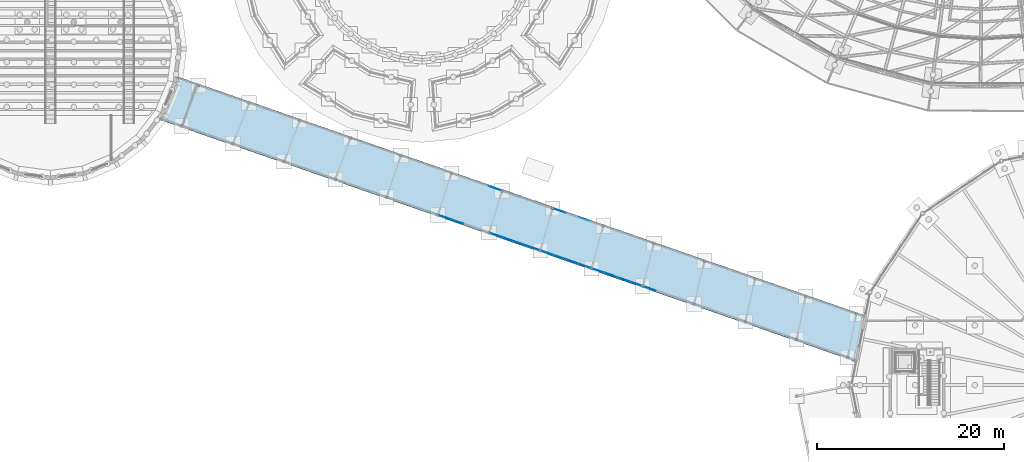
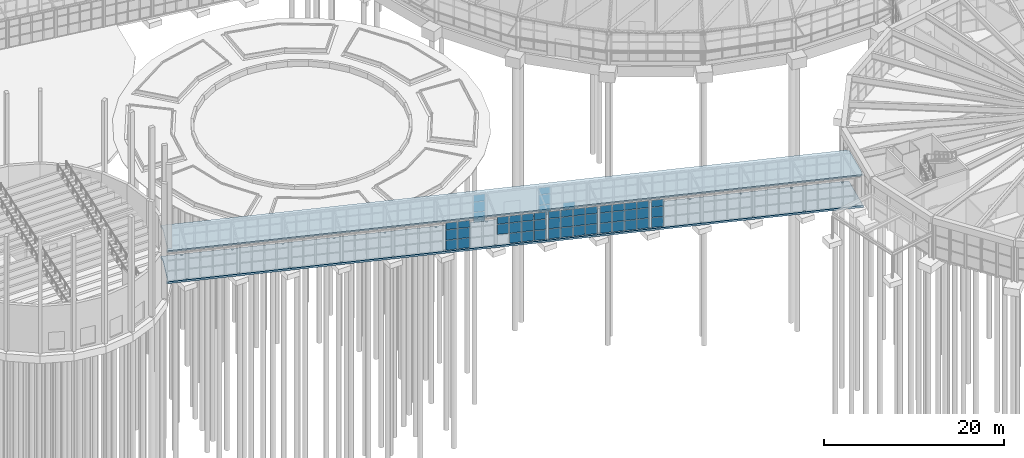
# One storey, part 124 of 226: 51 plates, 2 slabs, 7 elements without a shape of their own.
"""IFC4 building model written with IfcOpenShell, lengths in metres."""

from ifc_helpers import new_model, si_unit, direction, frame, origin, origin_2d, place, context, subcontext, project, spatial, polyline, rectangle, outline, extrude, material, layer, layer_set, type_object, element, aggregate, save


model = new_model("IFC4")

# Units and contexts
model_context = context("Model", 3, precision=1e-05, world=origin(), true_north=direction((0.0, 1.0)))
body_context = subcontext(model_context, "Body", "Model", "MODEL_VIEW")
ifc_project = project(units=[si_unit("LENGTHUNIT", "METRE"), si_unit("AREAUNIT", "SQUARE_METRE"), si_unit("VOLUMEUNIT", "CUBIC_METRE"), si_unit("PLANEANGLEUNIT", "RADIAN"), si_unit("MASSUNIT", "GRAM", prefix="KILO")], contexts=[model_context])

# Site, building, storey
site_placement = place(None, origin())
site = spatial("IfcSite", under=ifc_project, at=site_placement, CompositionType="ELEMENT")
building_placement = place(site_placement, origin())
building = spatial("IfcBuilding", under=site, at=building_placement, Name="Ceibo Conservatory and Research Tower", CompositionType="ELEMENT")
storey_placement = place(building_placement, origin())
storey = spatial("IfcBuildingStorey", under=building, at=storey_placement, Name="L00", CompositionType="ELEMENT", Elevation=0.0)

# Curtain wall, plates
ifc_material_1 = material(Name="Aluminium and glass", Category="aluminium")
curtain_wall_type = type_object("IfcCurtainWallType", Name="Gallery curtain wall", PredefinedType="NOTDEFINED", material=ifc_material_1)
curtain_wall_1_placement = place(storey_placement, origin())
curtain_wall_1 = element("IfcCurtainWall", 1, at=curtain_wall_1_placement, inside=storey, type_object=curtain_wall_type, Name="Gallery curtain wall AUD-VC-CWN07", PredefinedType="NOTDEFINED")
ifc_material_2 = material(Name="Laminated glass", Category="glass")
ifc_layer_1 = layer(ifc_material_2, 0.028076171875)
ifc_layer_set_1 = layer_set([ifc_layer_1], Name="Laminated glass")
plate_type = type_object("IfcPlateType", Name="Gallery glass 28", PredefinedType="CURTAIN_PANEL", material=ifc_layer_set_1)
plate_1_placement = place(storey_placement, frame((103.801025390625, 57.08251953125, 0.06005859375), z_axis=(0.0, 0.0, 1.0), x_axis=(0.944579236191, -0.328283515513, 0.0)))
plate_1 = element("IfcPlate", 2, at=plate_1_placement, type_object=plate_type, Name="AUD-VC-CWN07 panel 4.1", PredefinedType="CURTAIN_PANEL", context=body_context, shape_type="SweptSolid", body=[
    extrude(rectangle(XDim=1.294677734375, YDim=0.028076171875, at=origin_2d()), origin(), (0.0, 0.0, 1.0), 1.31005859375),
])
plate_2_placement = place(storey_placement, frame((103.801025390625, 57.08251953125, 1.43017578125), z_axis=(0.0, 0.0, 1.0), x_axis=(0.944579236191, -0.328283515513, 0.0)))
plate_2 = element("IfcPlate", 3, at=plate_2_placement, type_object=plate_type, Name="AUD-VC-CWN07 panel 4.2", PredefinedType="CURTAIN_PANEL", context=body_context, shape_type="SweptSolid", body=[
    extrude(rectangle(XDim=1.294677734375, YDim=0.028076171875, at=origin_2d()), origin(), (0.0, 0.0, 1.0), 1.340087890625),
])
plate_3_placement = place(storey_placement, frame((103.801025390625, 57.08251953125, 2.830078125), z_axis=(0.0, 0.0, 1.0), x_axis=(0.944579236191, -0.328283515513, 0.0)))
plate_3 = element("IfcPlate", 4, at=plate_3_placement, type_object=plate_type, Name="AUD-VC-CWN07 panel 4.3", PredefinedType="CURTAIN_PANEL", context=body_context, shape_type="SweptSolid", body=[
    extrude(rectangle(XDim=1.294677734375, YDim=0.028076171875, at=origin_2d()), origin(), (0.0, 0.0, 1.0), 0.909912109375),
])
aggregate(curtain_wall_1, [plate_1, plate_2, plate_3])

curtain_wall_2_placement = place(storey_placement, origin())
curtain_wall_2 = element("IfcCurtainWall", 5, at=curtain_wall_2_placement, inside=storey, type_object=curtain_wall_type, Name="Gallery curtain wall AUD-VC-CWN09", PredefinedType="NOTDEFINED")
plate_4_placement = place(storey_placement, frame((110.746826171875, 54.66845703125, 0.06005859375), z_axis=(0.0, 0.0, 1.0), x_axis=(0.944579236191, -0.328283515513, 0.0)))
plate_4 = element("IfcPlate", 6, at=plate_4_placement, type_object=plate_type, Name="AUD-VC-CWN09 panel 1.1", PredefinedType="CURTAIN_PANEL", context=body_context, shape_type="SweptSolid", body=[
    extrude(rectangle(XDim=1.294677734375, YDim=0.028076171875, at=origin_2d()), origin(), (0.0, 0.0, 1.0), 1.31005859375),
])
plate_5_placement = place(storey_placement, frame((110.746826171875, 54.66845703125, 1.43017578125), z_axis=(0.0, 0.0, 1.0), x_axis=(0.944579236191, -0.328283515513, 0.0)))
plate_5 = element("IfcPlate", 7, at=plate_5_placement, type_object=plate_type, Name="AUD-VC-CWN09 panel 1.2", PredefinedType="CURTAIN_PANEL", context=body_context, shape_type="SweptSolid", body=[
    extrude(rectangle(XDim=1.294677734375, YDim=0.028076171875, at=origin_2d()), origin(), (0.0, 0.0, 1.0), 1.340087890625),
])
plate_6_placement = place(storey_placement, frame((110.746826171875, 54.66845703125, 2.830078125), z_axis=(0.0, 0.0, 1.0), x_axis=(0.944579236191, -0.328283515513, 0.0)))
plate_6 = element("IfcPlate", 8, at=plate_6_placement, type_object=plate_type, Name="AUD-VC-CWN09 panel 1.3", PredefinedType="CURTAIN_PANEL", context=body_context, shape_type="SweptSolid", body=[
    extrude(rectangle(XDim=1.294677734375, YDim=0.028076171875, at=origin_2d()), origin(), (0.0, 0.0, 1.0), 0.909912109375),
])
plate_7_placement = place(storey_placement, frame((113.3486328125, 53.764404296875, 0.06005859375), z_axis=(0.0, 0.0, 1.0), x_axis=(0.944579236191, -0.328283515513, 0.0)))
plate_7 = element("IfcPlate", 9, at=plate_7_placement, type_object=plate_type, Name="AUD-VC-CWN09 panel 3.1", PredefinedType="CURTAIN_PANEL", context=body_context, shape_type="SweptSolid", body=[
    extrude(rectangle(XDim=1.32470703125, YDim=0.028076171875, at=origin_2d()), origin(), (0.0, 0.0, 1.0), 1.31005859375),
])
aggregate(curtain_wall_2, [plate_4, plate_5, plate_6, plate_7])

curtain_wall_3_placement = place(storey_placement, origin())
curtain_wall_3 = element("IfcCurtainWall", 10, at=curtain_wall_3_placement, inside=storey, type_object=curtain_wall_type, Name="Gallery curtain wall AUD-VC-CWS07", PredefinedType="NOTDEFINED")
plate_8_placement = place(storey_placement, frame((98.44677734375, 53.967529296875, 0.06005859375), z_axis=(0.0, 0.0, 1.0), x_axis=(0.944579236191, -0.328283515513, 0.0)))
plate_8 = element("IfcPlate", 11, at=plate_8_placement, type_object=plate_type, Name="AUD-VC-CWS07 panel 1.1", PredefinedType="CURTAIN_PANEL", context=body_context, shape_type="SweptSolid", body=[
    extrude(rectangle(XDim=1.3125, YDim=0.028076171875, at=origin_2d()), origin(), (0.0, 0.0, 1.0), 1.31005859375),
])
plate_9_placement = place(storey_placement, frame((98.44677734375, 53.967529296875, 1.43017578125), z_axis=(0.0, 0.0, 1.0), x_axis=(0.944579236191, -0.328283515513, 0.0)))
plate_9 = element("IfcPlate", 12, at=plate_9_placement, type_object=plate_type, Name="AUD-VC-CWS07 panel 1.2", PredefinedType="CURTAIN_PANEL", context=body_context, shape_type="SweptSolid", body=[
    extrude(rectangle(XDim=1.3125, YDim=0.028076171875, at=origin_2d()), origin(), (0.0, 0.0, 1.0), 1.340087890625),
])
plate_10_placement = place(storey_placement, frame((98.44677734375, 53.967529296875, 2.830078125), z_axis=(0.0, 0.0, 1.0), x_axis=(0.944579236191, -0.328283515513, 0.0)))
plate_10 = element("IfcPlate", 13, at=plate_10_placement, type_object=plate_type, Name="AUD-VC-CWS07 panel 1.3", PredefinedType="CURTAIN_PANEL", context=body_context, shape_type="SweptSolid", body=[
    extrude(rectangle(XDim=1.3125, YDim=0.028076171875, at=origin_2d()), origin(), (0.0, 0.0, 1.0), 0.909912109375),
])
plate_11_placement = place(storey_placement, frame((99.757568359375, 53.51220703125, 0.06005859375), z_axis=(0.0, 0.0, 1.0), x_axis=(0.944579236191, -0.328283515513, 0.0)))
plate_11 = element("IfcPlate", 14, at=plate_11_placement, type_object=plate_type, Name="AUD-VC-CWS07 panel 2.1", PredefinedType="CURTAIN_PANEL", context=body_context, shape_type="SweptSolid", body=[
    extrude(rectangle(XDim=1.342529296875, YDim=0.028076171875, at=origin_2d()), origin(), (0.0, 0.0, 1.0), 1.31005859375),
])
plate_12_placement = place(storey_placement, frame((99.757568359375, 53.51220703125, 1.43017578125), z_axis=(0.0, 0.0, 1.0), x_axis=(0.944579236191, -0.328283515513, 0.0)))
plate_12 = element("IfcPlate", 15, at=plate_12_placement, type_object=plate_type, Name="AUD-VC-CWS07 panel 2.2", PredefinedType="CURTAIN_PANEL", context=body_context, shape_type="SweptSolid", body=[
    extrude(rectangle(XDim=1.342529296875, YDim=0.028076171875, at=origin_2d()), origin(), (0.0, 0.0, 1.0), 1.340087890625),
])
plate_13_placement = place(storey_placement, frame((99.757568359375, 53.51220703125, 2.830078125), z_axis=(0.0, 0.0, 1.0), x_axis=(0.944579236191, -0.328283515513, 0.0)))
plate_13 = element("IfcPlate", 16, at=plate_13_placement, type_object=plate_type, Name="AUD-VC-CWS07 panel 2.3", PredefinedType="CURTAIN_PANEL", context=body_context, shape_type="SweptSolid", body=[
    extrude(rectangle(XDim=1.342529296875, YDim=0.028076171875, at=origin_2d()), origin(), (0.0, 0.0, 1.0), 0.909912109375),
])
aggregate(curtain_wall_3, [plate_8, plate_9, plate_10, plate_11, plate_12, plate_13])

curtain_wall_4_placement = place(storey_placement, origin())
curtain_wall_4 = element("IfcCurtainWall", 17, at=curtain_wall_4_placement, inside=storey, type_object=curtain_wall_type, Name="Gallery curtain wall AUD-VC-CWS08", PredefinedType="NOTDEFINED")
plate_14_placement = place(storey_placement, frame((103.93505859375, 52.06005859375, 1.43017578125), z_axis=(0.0, 0.0, 1.0), x_axis=(0.944579236191, -0.328283515513, 0.0)))
plate_14 = element("IfcPlate", 18, at=plate_14_placement, type_object=plate_type, Name="AUD-VC-CWS08 panel 1.2", PredefinedType="CURTAIN_PANEL", context=body_context, shape_type="SweptSolid", body=[
    extrude(rectangle(XDim=1.3125, YDim=0.028076171875, at=origin_2d()), origin(), (0.0, 0.0, 1.0), 1.340087890625),
])
plate_15_placement = place(storey_placement, frame((103.93505859375, 52.06005859375, 2.830078125), z_axis=(0.0, 0.0, 1.0), x_axis=(0.944579236191, -0.328283515513, 0.0)))
plate_15 = element("IfcPlate", 19, at=plate_15_placement, type_object=plate_type, Name="AUD-VC-CWS08 panel 1.3", PredefinedType="CURTAIN_PANEL", context=body_context, shape_type="SweptSolid", body=[
    extrude(rectangle(XDim=1.3125, YDim=0.028076171875, at=origin_2d()), origin(), (0.0, 0.0, 1.0), 0.909912109375),
])
plate_16_placement = place(storey_placement, frame((105.245849609375, 51.604736328125, 0.06005859375), z_axis=(0.0, 0.0, 1.0), x_axis=(0.944579236191, -0.328283515513, 0.0)))
plate_16 = element("IfcPlate", 20, at=plate_16_placement, type_object=plate_type, Name="AUD-VC-CWS08 panel 2.1", PredefinedType="CURTAIN_PANEL", context=body_context, shape_type="SweptSolid", body=[
    extrude(rectangle(XDim=1.342529296875, YDim=0.028076171875, at=origin_2d()), origin(), (0.0, 0.0, 1.0), 1.31005859375),
])
plate_17_placement = place(storey_placement, frame((105.245849609375, 51.604736328125, 1.43017578125), z_axis=(0.0, 0.0, 1.0), x_axis=(0.944579236191, -0.328283515513, 0.0)))
plate_17 = element("IfcPlate", 21, at=plate_17_placement, type_object=plate_type, Name="AUD-VC-CWS08 panel 2.2", PredefinedType="CURTAIN_PANEL", context=body_context, shape_type="SweptSolid", body=[
    extrude(rectangle(XDim=1.342529296875, YDim=0.028076171875, at=origin_2d()), origin(), (0.0, 0.0, 1.0), 1.340087890625),
])
plate_18_placement = place(storey_placement, frame((105.245849609375, 51.604736328125, 2.830078125), z_axis=(0.0, 0.0, 1.0), x_axis=(0.944579236191, -0.328283515513, 0.0)))
plate_18 = element("IfcPlate", 22, at=plate_18_placement, type_object=plate_type, Name="AUD-VC-CWS08 panel 2.3", PredefinedType="CURTAIN_PANEL", context=body_context, shape_type="SweptSolid", body=[
    extrude(rectangle(XDim=1.342529296875, YDim=0.028076171875, at=origin_2d()), origin(), (0.0, 0.0, 1.0), 0.909912109375),
])
plate_19_placement = place(storey_placement, frame((106.570556640625, 51.144287109375, 0.06005859375), z_axis=(0.0, 0.0, 1.0), x_axis=(0.944579236191, -0.328283515513, 0.0)))
plate_19 = element("IfcPlate", 23, at=plate_19_placement, type_object=plate_type, Name="AUD-VC-CWS08 panel 3.1", PredefinedType="CURTAIN_PANEL", context=body_context, shape_type="SweptSolid", body=[
    extrude(rectangle(XDim=1.342529296875, YDim=0.028076171875, at=origin_2d()), origin(), (0.0, 0.0, 1.0), 1.31005859375),
])
plate_20_placement = place(storey_placement, frame((106.570556640625, 51.144287109375, 1.43017578125), z_axis=(0.0, 0.0, 1.0), x_axis=(0.944579236191, -0.328283515513, 0.0)))
plate_20 = element("IfcPlate", 24, at=plate_20_placement, type_object=plate_type, Name="AUD-VC-CWS08 panel 3.2", PredefinedType="CURTAIN_PANEL", context=body_context, shape_type="SweptSolid", body=[
    extrude(rectangle(XDim=1.342529296875, YDim=0.028076171875, at=origin_2d()), origin(), (0.0, 0.0, 1.0), 1.340087890625),
])
plate_21_placement = place(storey_placement, frame((106.570556640625, 51.144287109375, 2.830078125), z_axis=(0.0, 0.0, 1.0), x_axis=(0.944579236191, -0.328283515513, 0.0)))
plate_21 = element("IfcPlate", 25, at=plate_21_placement, type_object=plate_type, Name="AUD-VC-CWS08 panel 3.3", PredefinedType="CURTAIN_PANEL", context=body_context, shape_type="SweptSolid", body=[
    extrude(rectangle(XDim=1.342529296875, YDim=0.028076171875, at=origin_2d()), origin(), (0.0, 0.0, 1.0), 0.909912109375),
])
plate_22_placement = place(storey_placement, frame((107.88134765625, 50.688720703125, 0.06005859375), z_axis=(0.0, 0.0, 1.0), x_axis=(0.944579236191, -0.328283515513, 0.0)))
plate_22 = element("IfcPlate", 26, at=plate_22_placement, type_object=plate_type, Name="AUD-VC-CWS08 panel 4.1", PredefinedType="CURTAIN_PANEL", context=body_context, shape_type="SweptSolid", body=[
    extrude(rectangle(XDim=1.3125, YDim=0.028076171875, at=origin_2d()), origin(), (0.0, 0.0, 1.0), 1.31005859375),
])
plate_23_placement = place(storey_placement, frame((107.88134765625, 50.688720703125, 1.43017578125), z_axis=(0.0, 0.0, 1.0), x_axis=(0.944579236191, -0.328283515513, 0.0)))
plate_23 = element("IfcPlate", 27, at=plate_23_placement, type_object=plate_type, Name="AUD-VC-CWS08 panel 4.2", PredefinedType="CURTAIN_PANEL", context=body_context, shape_type="SweptSolid", body=[
    extrude(rectangle(XDim=1.3125, YDim=0.028076171875, at=origin_2d()), origin(), (0.0, 0.0, 1.0), 1.340087890625),
])
plate_24_placement = place(storey_placement, frame((107.88134765625, 50.688720703125, 2.830078125), z_axis=(0.0, 0.0, 1.0), x_axis=(0.944579236191, -0.328283515513, 0.0)))
plate_24 = element("IfcPlate", 28, at=plate_24_placement, type_object=plate_type, Name="AUD-VC-CWS08 panel 4.3", PredefinedType="CURTAIN_PANEL", context=body_context, shape_type="SweptSolid", body=[
    extrude(rectangle(XDim=1.3125, YDim=0.028076171875, at=origin_2d()), origin(), (0.0, 0.0, 1.0), 0.909912109375),
])
aggregate(curtain_wall_4, [plate_14, plate_15, plate_16, plate_17, plate_18, plate_19, plate_20, plate_21, plate_22, plate_23, plate_24])

curtain_wall_5_placement = place(storey_placement, origin())
curtain_wall_5 = element("IfcCurtainWall", 29, at=curtain_wall_5_placement, inside=storey, type_object=curtain_wall_type, Name="Gallery curtain wall AUD-VC-CWS09", PredefinedType="NOTDEFINED")
plate_25_placement = place(storey_placement, frame((109.42333984375, 50.15283203125, 0.06005859375), z_axis=(0.0, 0.0, 1.0), x_axis=(0.944579236191, -0.328283515513, 0.0)))
plate_25 = element("IfcPlate", 30, at=plate_25_placement, type_object=plate_type, Name="AUD-VC-CWS09 panel 1.1", PredefinedType="CURTAIN_PANEL", context=body_context, shape_type="SweptSolid", body=[
    extrude(rectangle(XDim=1.3125, YDim=0.028076171875, at=origin_2d()), origin(), (0.0, 0.0, 1.0), 1.31005859375),
])
plate_26_placement = place(storey_placement, frame((109.42333984375, 50.15283203125, 1.43017578125), z_axis=(0.0, 0.0, 1.0), x_axis=(0.944579236191, -0.328283515513, 0.0)))
plate_26 = element("IfcPlate", 31, at=plate_26_placement, type_object=plate_type, Name="AUD-VC-CWS09 panel 1.2", PredefinedType="CURTAIN_PANEL", context=body_context, shape_type="SweptSolid", body=[
    extrude(rectangle(XDim=1.3125, YDim=0.028076171875, at=origin_2d()), origin(), (0.0, 0.0, 1.0), 1.340087890625),
])
plate_27_placement = place(storey_placement, frame((109.42333984375, 50.15283203125, 2.830078125), z_axis=(0.0, 0.0, 1.0), x_axis=(0.944579236191, -0.328283515513, 0.0)))
plate_27 = element("IfcPlate", 32, at=plate_27_placement, type_object=plate_type, Name="AUD-VC-CWS09 panel 1.3", PredefinedType="CURTAIN_PANEL", context=body_context, shape_type="SweptSolid", body=[
    extrude(rectangle(XDim=1.3125, YDim=0.028076171875, at=origin_2d()), origin(), (0.0, 0.0, 1.0), 0.909912109375),
])
plate_28_placement = place(storey_placement, frame((110.734130859375, 49.697265625, 0.06005859375), z_axis=(0.0, 0.0, 1.0), x_axis=(0.944579236191, -0.328283515513, 0.0)))
plate_28 = element("IfcPlate", 33, at=plate_28_placement, type_object=plate_type, Name="AUD-VC-CWS09 panel 2.1", PredefinedType="CURTAIN_PANEL", context=body_context, shape_type="SweptSolid", body=[
    extrude(rectangle(XDim=1.342529296875, YDim=0.028076171875, at=origin_2d()), origin(), (0.0, 0.0, 1.0), 1.31005859375),
])
plate_29_placement = place(storey_placement, frame((110.734130859375, 49.697265625, 1.43017578125), z_axis=(0.0, 0.0, 1.0), x_axis=(0.944579236191, -0.328283515513, 0.0)))
plate_29 = element("IfcPlate", 34, at=plate_29_placement, type_object=plate_type, Name="AUD-VC-CWS09 panel 2.2", PredefinedType="CURTAIN_PANEL", context=body_context, shape_type="SweptSolid", body=[
    extrude(rectangle(XDim=1.342529296875, YDim=0.028076171875, at=origin_2d()), origin(), (0.0, 0.0, 1.0), 1.340087890625),
])
plate_30_placement = place(storey_placement, frame((110.734130859375, 49.697265625, 2.830078125), z_axis=(0.0, 0.0, 1.0), x_axis=(0.944579236191, -0.328283515513, 0.0)))
plate_30 = element("IfcPlate", 35, at=plate_30_placement, type_object=plate_type, Name="AUD-VC-CWS09 panel 2.3", PredefinedType="CURTAIN_PANEL", context=body_context, shape_type="SweptSolid", body=[
    extrude(rectangle(XDim=1.342529296875, YDim=0.028076171875, at=origin_2d()), origin(), (0.0, 0.0, 1.0), 0.909912109375),
])
plate_31_placement = place(storey_placement, frame((112.058837890625, 49.23681640625, 0.06005859375), z_axis=(0.0, 0.0, 1.0), x_axis=(0.944579236191, -0.328283515513, 0.0)))
plate_31 = element("IfcPlate", 36, at=plate_31_placement, type_object=plate_type, Name="AUD-VC-CWS09 panel 3.1", PredefinedType="CURTAIN_PANEL", context=body_context, shape_type="SweptSolid", body=[
    extrude(rectangle(XDim=1.342529296875, YDim=0.028076171875, at=origin_2d()), origin(), (0.0, 0.0, 1.0), 1.31005859375),
])
plate_32_placement = place(storey_placement, frame((112.058837890625, 49.23681640625, 1.43017578125), z_axis=(0.0, 0.0, 1.0), x_axis=(0.944579236191, -0.328283515513, 0.0)))
plate_32 = element("IfcPlate", 37, at=plate_32_placement, type_object=plate_type, Name="AUD-VC-CWS09 panel 3.2", PredefinedType="CURTAIN_PANEL", context=body_context, shape_type="SweptSolid", body=[
    extrude(rectangle(XDim=1.342529296875, YDim=0.028076171875, at=origin_2d()), origin(), (0.0, 0.0, 1.0), 1.340087890625),
])
plate_33_placement = place(storey_placement, frame((112.058837890625, 49.23681640625, 2.830078125), z_axis=(0.0, 0.0, 1.0), x_axis=(0.944579236191, -0.328283515513, 0.0)))
plate_33 = element("IfcPlate", 38, at=plate_33_placement, type_object=plate_type, Name="AUD-VC-CWS09 panel 3.3", PredefinedType="CURTAIN_PANEL", context=body_context, shape_type="SweptSolid", body=[
    extrude(rectangle(XDim=1.342529296875, YDim=0.028076171875, at=origin_2d()), origin(), (0.0, 0.0, 1.0), 0.909912109375),
])
plate_34_placement = place(storey_placement, frame((113.36962890625, 48.78125, 0.06005859375), z_axis=(0.0, 0.0, 1.0), x_axis=(0.944579236191, -0.328283515513, 0.0)))
plate_34 = element("IfcPlate", 39, at=plate_34_placement, type_object=plate_type, Name="AUD-VC-CWS09 panel 4.1", PredefinedType="CURTAIN_PANEL", context=body_context, shape_type="SweptSolid", body=[
    extrude(rectangle(XDim=1.3125, YDim=0.028076171875, at=origin_2d()), origin(), (0.0, 0.0, 1.0), 1.31005859375),
])
plate_35_placement = place(storey_placement, frame((113.36962890625, 48.78125, 1.43017578125), z_axis=(0.0, 0.0, 1.0), x_axis=(0.944579236191, -0.328283515513, 0.0)))
plate_35 = element("IfcPlate", 40, at=plate_35_placement, type_object=plate_type, Name="AUD-VC-CWS09 panel 4.2", PredefinedType="CURTAIN_PANEL", context=body_context, shape_type="SweptSolid", body=[
    extrude(rectangle(XDim=1.3125, YDim=0.028076171875, at=origin_2d()), origin(), (0.0, 0.0, 1.0), 1.340087890625),
])
plate_36_placement = place(storey_placement, frame((113.36962890625, 48.78125, 2.830078125), z_axis=(0.0, 0.0, 1.0), x_axis=(0.944579236191, -0.328283515513, 0.0)))
plate_36 = element("IfcPlate", 41, at=plate_36_placement, type_object=plate_type, Name="AUD-VC-CWS09 panel 4.3", PredefinedType="CURTAIN_PANEL", context=body_context, shape_type="SweptSolid", body=[
    extrude(rectangle(XDim=1.3125, YDim=0.028076171875, at=origin_2d()), origin(), (0.0, 0.0, 1.0), 0.909912109375),
])
aggregate(curtain_wall_5, [plate_25, plate_26, plate_27, plate_28, plate_29, plate_30, plate_31, plate_32, plate_33, plate_34, plate_35, plate_36])

curtain_wall_6_placement = place(storey_placement, origin())
curtain_wall_6 = element("IfcCurtainWall", 42, at=curtain_wall_6_placement, inside=storey, type_object=curtain_wall_type, Name="Gallery curtain wall AUD-VC-CWS10", PredefinedType="NOTDEFINED")
plate_37_placement = place(storey_placement, frame((114.91162109375, 48.245361328125, 0.06005859375), z_axis=(0.0, 0.0, 1.0), x_axis=(0.944579236191, -0.328283515513, 0.0)))
plate_37 = element("IfcPlate", 43, at=plate_37_placement, type_object=plate_type, Name="AUD-VC-CWS10 panel 1.1", PredefinedType="CURTAIN_PANEL", context=body_context, shape_type="SweptSolid", body=[
    extrude(rectangle(XDim=1.3125, YDim=0.028076171875, at=origin_2d()), origin(), (0.0, 0.0, 1.0), 1.31005859375),
])
plate_38_placement = place(storey_placement, frame((114.91162109375, 48.245361328125, 1.43017578125), z_axis=(0.0, 0.0, 1.0), x_axis=(0.944579236191, -0.328283515513, 0.0)))
plate_38 = element("IfcPlate", 44, at=plate_38_placement, type_object=plate_type, Name="AUD-VC-CWS10 panel 1.2", PredefinedType="CURTAIN_PANEL", context=body_context, shape_type="SweptSolid", body=[
    extrude(rectangle(XDim=1.3125, YDim=0.028076171875, at=origin_2d()), origin(), (0.0, 0.0, 1.0), 1.340087890625),
])
plate_39_placement = place(storey_placement, frame((114.91162109375, 48.245361328125, 2.830078125), z_axis=(0.0, 0.0, 1.0), x_axis=(0.944579236191, -0.328283515513, 0.0)))
plate_39 = element("IfcPlate", 45, at=plate_39_placement, type_object=plate_type, Name="AUD-VC-CWS10 panel 1.3", PredefinedType="CURTAIN_PANEL", context=body_context, shape_type="SweptSolid", body=[
    extrude(rectangle(XDim=1.3125, YDim=0.028076171875, at=origin_2d()), origin(), (0.0, 0.0, 1.0), 0.909912109375),
])
plate_40_placement = place(storey_placement, frame((116.222412109375, 47.789794921875, 0.06005859375), z_axis=(0.0, 0.0, 1.0), x_axis=(0.944579236191, -0.328283515513, 0.0)))
plate_40 = element("IfcPlate", 46, at=plate_40_placement, type_object=plate_type, Name="AUD-VC-CWS10 panel 2.1", PredefinedType="CURTAIN_PANEL", context=body_context, shape_type="SweptSolid", body=[
    extrude(rectangle(XDim=1.342529296875, YDim=0.028076171875, at=origin_2d()), origin(), (0.0, 0.0, 1.0), 1.31005859375),
])
plate_41_placement = place(storey_placement, frame((116.222412109375, 47.789794921875, 1.43017578125), z_axis=(0.0, 0.0, 1.0), x_axis=(0.944579236191, -0.328283515513, 0.0)))
plate_41 = element("IfcPlate", 47, at=plate_41_placement, type_object=plate_type, Name="AUD-VC-CWS10 panel 2.2", PredefinedType="CURTAIN_PANEL", context=body_context, shape_type="SweptSolid", body=[
    extrude(rectangle(XDim=1.342529296875, YDim=0.028076171875, at=origin_2d()), origin(), (0.0, 0.0, 1.0), 1.340087890625),
])
plate_42_placement = place(storey_placement, frame((116.222412109375, 47.789794921875, 2.830078125), z_axis=(0.0, 0.0, 1.0), x_axis=(0.944579236191, -0.328283515513, 0.0)))
plate_42 = element("IfcPlate", 48, at=plate_42_placement, type_object=plate_type, Name="AUD-VC-CWS10 panel 2.3", PredefinedType="CURTAIN_PANEL", context=body_context, shape_type="SweptSolid", body=[
    extrude(rectangle(XDim=1.342529296875, YDim=0.028076171875, at=origin_2d()), origin(), (0.0, 0.0, 1.0), 0.909912109375),
])
plate_43_placement = place(storey_placement, frame((117.547119140625, 47.329345703125, 0.06005859375), z_axis=(0.0, 0.0, 1.0), x_axis=(0.944579236191, -0.328283515513, 0.0)))
plate_43 = element("IfcPlate", 49, at=plate_43_placement, type_object=plate_type, Name="AUD-VC-CWS10 panel 3.1", PredefinedType="CURTAIN_PANEL", context=body_context, shape_type="SweptSolid", body=[
    extrude(rectangle(XDim=1.342529296875, YDim=0.028076171875, at=origin_2d()), origin(), (0.0, 0.0, 1.0), 1.31005859375),
])
plate_44_placement = place(storey_placement, frame((117.547119140625, 47.329345703125, 1.43017578125), z_axis=(0.0, 0.0, 1.0), x_axis=(0.944579236191, -0.328283515513, 0.0)))
plate_44 = element("IfcPlate", 50, at=plate_44_placement, type_object=plate_type, Name="AUD-VC-CWS10 panel 3.2", PredefinedType="CURTAIN_PANEL", context=body_context, shape_type="SweptSolid", body=[
    extrude(rectangle(XDim=1.342529296875, YDim=0.028076171875, at=origin_2d()), origin(), (0.0, 0.0, 1.0), 1.340087890625),
])
plate_45_placement = place(storey_placement, frame((117.547119140625, 47.329345703125, 2.830078125), z_axis=(0.0, 0.0, 1.0), x_axis=(0.944579236191, -0.328283515513, 0.0)))
plate_45 = element("IfcPlate", 51, at=plate_45_placement, type_object=plate_type, Name="AUD-VC-CWS10 panel 3.3", PredefinedType="CURTAIN_PANEL", context=body_context, shape_type="SweptSolid", body=[
    extrude(rectangle(XDim=1.342529296875, YDim=0.028076171875, at=origin_2d()), origin(), (0.0, 0.0, 1.0), 0.909912109375),
])
plate_46_placement = place(storey_placement, frame((118.85791015625, 46.873779296875, 0.06005859375), z_axis=(0.0, 0.0, 1.0), x_axis=(0.944579236191, -0.328283515513, 0.0)))
plate_46 = element("IfcPlate", 52, at=plate_46_placement, type_object=plate_type, Name="AUD-VC-CWS10 panel 4.1", PredefinedType="CURTAIN_PANEL", context=body_context, shape_type="SweptSolid", body=[
    extrude(rectangle(XDim=1.3125, YDim=0.028076171875, at=origin_2d()), origin(), (0.0, 0.0, 1.0), 1.31005859375),
])
plate_47_placement = place(storey_placement, frame((118.85791015625, 46.873779296875, 1.43017578125), z_axis=(0.0, 0.0, 1.0), x_axis=(0.944579236191, -0.328283515513, 0.0)))
plate_47 = element("IfcPlate", 53, at=plate_47_placement, type_object=plate_type, Name="AUD-VC-CWS10 panel 4.2", PredefinedType="CURTAIN_PANEL", context=body_context, shape_type="SweptSolid", body=[
    extrude(rectangle(XDim=1.3125, YDim=0.028076171875, at=origin_2d()), origin(), (0.0, 0.0, 1.0), 1.340087890625),
])
plate_48_placement = place(storey_placement, frame((118.85791015625, 46.873779296875, 2.830078125), z_axis=(0.0, 0.0, 1.0), x_axis=(0.944579236191, -0.328283515513, 0.0)))
plate_48 = element("IfcPlate", 54, at=plate_48_placement, type_object=plate_type, Name="AUD-VC-CWS10 panel 4.3", PredefinedType="CURTAIN_PANEL", context=body_context, shape_type="SweptSolid", body=[
    extrude(rectangle(XDim=1.3125, YDim=0.028076171875, at=origin_2d()), origin(), (0.0, 0.0, 1.0), 0.909912109375),
])
aggregate(curtain_wall_6, [plate_37, plate_38, plate_39, plate_40, plate_41, plate_42, plate_43, plate_44, plate_45, plate_46, plate_47, plate_48])

curtain_wall_7_placement = place(storey_placement, origin())
curtain_wall_7 = element("IfcCurtainWall", 55, at=curtain_wall_7_placement, inside=storey, type_object=curtain_wall_type, Name="Gallery curtain wall AUD-VC-CWS11", PredefinedType="NOTDEFINED")
plate_49_placement = place(storey_placement, frame((120.39990234375, 46.337890625, 0.06005859375), z_axis=(0.0, 0.0, 1.0), x_axis=(0.944579236191, -0.328283515513, 0.0)))
plate_49 = element("IfcPlate", 56, at=plate_49_placement, type_object=plate_type, Name="AUD-VC-CWS11 panel 1.1", PredefinedType="CURTAIN_PANEL", context=body_context, shape_type="SweptSolid", body=[
    extrude(rectangle(XDim=1.3125, YDim=0.028076171875, at=origin_2d()), origin(), (0.0, 0.0, 1.0), 1.31005859375),
])
plate_50_placement = place(storey_placement, frame((120.39990234375, 46.337890625, 1.43017578125), z_axis=(0.0, 0.0, 1.0), x_axis=(0.944579236191, -0.328283515513, 0.0)))
plate_50 = element("IfcPlate", 57, at=plate_50_placement, type_object=plate_type, Name="AUD-VC-CWS11 panel 1.2", PredefinedType="CURTAIN_PANEL", context=body_context, shape_type="SweptSolid", body=[
    extrude(rectangle(XDim=1.3125, YDim=0.028076171875, at=origin_2d()), origin(), (0.0, 0.0, 1.0), 1.340087890625),
])
plate_51_placement = place(storey_placement, frame((120.39990234375, 46.337890625, 2.830078125), z_axis=(0.0, 0.0, 1.0), x_axis=(0.944579236191, -0.328283515513, 0.0)))
plate_51 = element("IfcPlate", 58, at=plate_51_placement, type_object=plate_type, Name="AUD-VC-CWS11 panel 1.3", PredefinedType="CURTAIN_PANEL", context=body_context, shape_type="SweptSolid", body=[
    extrude(rectangle(XDim=1.3125, YDim=0.028076171875, at=origin_2d()), origin(), (0.0, 0.0, 1.0), 0.909912109375),
])
aggregate(curtain_wall_7, [plate_49, plate_50, plate_51])

# Slabs
ifc_material_3 = material(Name="Concrete C35/45", Category="concrete")
ifc_layer_2 = layer(ifc_material_3, 0.25)
ifc_layer_set_2 = layer_set([ifc_layer_2], Name="Concrete C35/45")
slab_type_1 = type_object("IfcSlabType", Name="RC gallery floor slab 250", PredefinedType="BASESLAB", material=ifc_layer_set_2)
slab_1_placement = place(storey_placement, frame((0.0, 0.0, -0.25)))
element("IfcSlab", 59, at=slab_1_placement, inside=storey, type_object=slab_type_1, Name="Gallery floor slab AUD-VC", PredefinedType="BASESLAB", context=body_context, shape_type="SweptSolid", body=[
    extrude(outline(polyline([(67.970703125, 64.400634765625), (68.391845703125, 64.94970703125), (69.800537109375, 68.350341796875), (69.8896484375, 69.027099609375), (143.267333984375, 43.52490234375), (142.28271484375, 38.573974609375), (67.970703125, 64.400634765625)]), holes=[polyline([(103.231689453125, 52.18798828125), (103.30419921875, 52.39599609375), (103.09619140625, 52.46826171875), (103.02392578125, 52.260498046875), (103.231689453125, 52.18798828125)]), polyline([(97.53564453125, 54.167724609375), (97.743408203125, 54.095703125), (97.81591796875, 54.303466796875), (97.60791015625, 54.37548828125), (97.53564453125, 54.167724609375)]), polyline([(92.04736328125, 56.0751953125), (92.255126953125, 56.0029296875), (92.327392578125, 56.210693359375), (92.11962890625, 56.282958984375), (92.04736328125, 56.0751953125)]), polyline([(104.423583984375, 56.749755859375), (104.631591796875, 56.677490234375), (104.70361328125, 56.88525390625), (104.495849609375, 56.95751953125), (104.423583984375, 56.749755859375)]), polyline([(86.55908203125, 57.982666015625), (86.766845703125, 57.910400390625), (86.839111328125, 58.1181640625), (86.63134765625, 58.1904296875), (86.55908203125, 57.982666015625)]), polyline([(99.003173828125, 58.633544921875), (99.2109375, 58.561279296875), (99.283203125, 58.769287109375), (99.0751953125, 58.84130859375), (99.003173828125, 58.633544921875)]), polyline([(81.07080078125, 59.89013671875), (81.27880859375, 59.81787109375), (81.350830078125, 60.025634765625), (81.14306640625, 60.097900390625), (81.07080078125, 59.89013671875)]), polyline([(93.790283203125, 60.4453125), (93.862548828125, 60.653076171875), (93.65478515625, 60.725341796875), (93.58251953125, 60.517578125), (93.790283203125, 60.4453125)]), polyline([(75.58251953125, 61.797607421875), (75.790283203125, 61.725341796875), (75.862548828125, 61.93310546875), (75.65478515625, 62.00537109375), (75.58251953125, 61.797607421875)]), polyline([(88.161865234375, 62.4013671875), (88.36962890625, 62.3291015625), (88.44189453125, 62.537109375), (88.234130859375, 62.609130859375), (88.161865234375, 62.4013671875)]), polyline([(70.09423828125, 63.704833984375), (70.302001953125, 63.6328125), (70.374267578125, 63.840576171875), (70.16650390625, 63.91259765625), (70.09423828125, 63.704833984375)]), polyline([(82.7412109375, 64.285400390625), (82.94921875, 64.213134765625), (83.021240234375, 64.4208984375), (82.8134765625, 64.4931640625), (82.7412109375, 64.285400390625)]), polyline([(77.32080078125, 66.169189453125), (77.528564453125, 66.096923828125), (77.6005859375, 66.3046875), (77.392822265625, 66.376953125), (77.32080078125, 66.169189453125)]), polyline([(71.900146484375, 68.052978515625), (72.10791015625, 67.98095703125), (72.18017578125, 68.188720703125), (71.972412109375, 68.260986328125), (71.900146484375, 68.052978515625)]), polyline([(141.64990234375, 38.836181640625), (141.72216796875, 39.0439453125), (141.514404296875, 39.1162109375), (141.442138671875, 38.908447265625), (141.64990234375, 38.836181640625)]), polyline([(135.953857421875, 40.81591796875), (136.16162109375, 40.74365234375), (136.23388671875, 40.951416015625), (136.02587890625, 41.023681640625), (135.953857421875, 40.81591796875)]), polyline([(130.465576171875, 42.72314453125), (130.67333984375, 42.65087890625), (130.74560546875, 42.85888671875), (130.53759765625, 42.930908203125), (130.465576171875, 42.72314453125)]), polyline([(142.367919921875, 43.5625), (142.57568359375, 43.490234375), (142.64794921875, 43.697998046875), (142.440185546875, 43.770263671875), (142.367919921875, 43.5625)]), polyline([(124.977294921875, 44.630615234375), (125.18505859375, 44.558349609375), (125.257080078125, 44.76611328125), (125.04931640625, 44.83837890625), (124.977294921875, 44.630615234375)]), polyline([(136.947265625, 45.4462890625), (137.155029296875, 45.3740234375), (137.227294921875, 45.581787109375), (137.01953125, 45.654052734375), (136.947265625, 45.4462890625)]), polyline([(119.489013671875, 46.5380859375), (119.69677734375, 46.4658203125), (119.768798828125, 46.673583984375), (119.56103515625, 46.745849609375), (119.489013671875, 46.5380859375)]), polyline([(131.734619140625, 47.258056640625), (131.806640625, 47.4658203125), (131.598876953125, 47.5380859375), (131.526611328125, 47.330078125), (131.734619140625, 47.258056640625)]), polyline([(114.00048828125, 48.445556640625), (114.20849609375, 48.373291015625), (114.28076171875, 48.5810546875), (114.07275390625, 48.6533203125), (114.00048828125, 48.445556640625)]), polyline([(126.106201171875, 49.214111328125), (126.31396484375, 49.141845703125), (126.385986328125, 49.349609375), (126.17822265625, 49.421875), (126.106201171875, 49.214111328125)]), polyline([(108.51220703125, 50.352783203125), (108.72021484375, 50.28076171875), (108.79248046875, 50.488525390625), (108.58447265625, 50.560791015625), (108.51220703125, 50.352783203125)]), polyline([(120.685546875, 51.097900390625), (120.893310546875, 51.02587890625), (120.965576171875, 51.233642578125), (120.7578125, 51.305908203125), (120.685546875, 51.097900390625)]), polyline([(115.264892578125, 52.98193359375), (115.47265625, 52.90966796875), (115.544921875, 53.117431640625), (115.337158203125, 53.189697265625), (115.264892578125, 52.98193359375)]), polyline([(109.84423828125, 54.86572265625), (110.052001953125, 54.793701171875), (110.124267578125, 55.00146484375), (109.91650390625, 55.073486328125), (109.84423828125, 54.86572265625)])]), origin(), (0.0, 0.0, 1.0), 0.25),
])
ifc_layer_3 = layer(ifc_material_3, 0.199951171875)
ifc_layer_set_3 = layer_set([ifc_layer_3], Name="Concrete C35/45")
slab_type_2 = type_object("IfcSlabType", Name="RC gallery roof slab 200", PredefinedType="ROOF", material=ifc_layer_set_3)
slab_2_placement = place(storey_placement, frame((0.0, 0.0, 4.0)))
element("IfcSlab", 60, at=slab_2_placement, inside=storey, type_object=slab_type_2, Name="Gallery roof slab AUD-VC", PredefinedType="ROOF", context=body_context, shape_type="SweptSolid", body=[
    extrude(outline(polyline([(143.267333984375, 43.52490234375), (142.28271484375, 38.573974609375), (67.970703125, 64.400634765625), (68.391845703125, 64.94970703125), (69.800537109375, 68.350341796875), (69.8896484375, 69.027099609375), (143.267333984375, 43.52490234375)])), origin(), (0.0, 0.0, 1.0), 0.199951171875),
])

save(model, "model.ifc")
